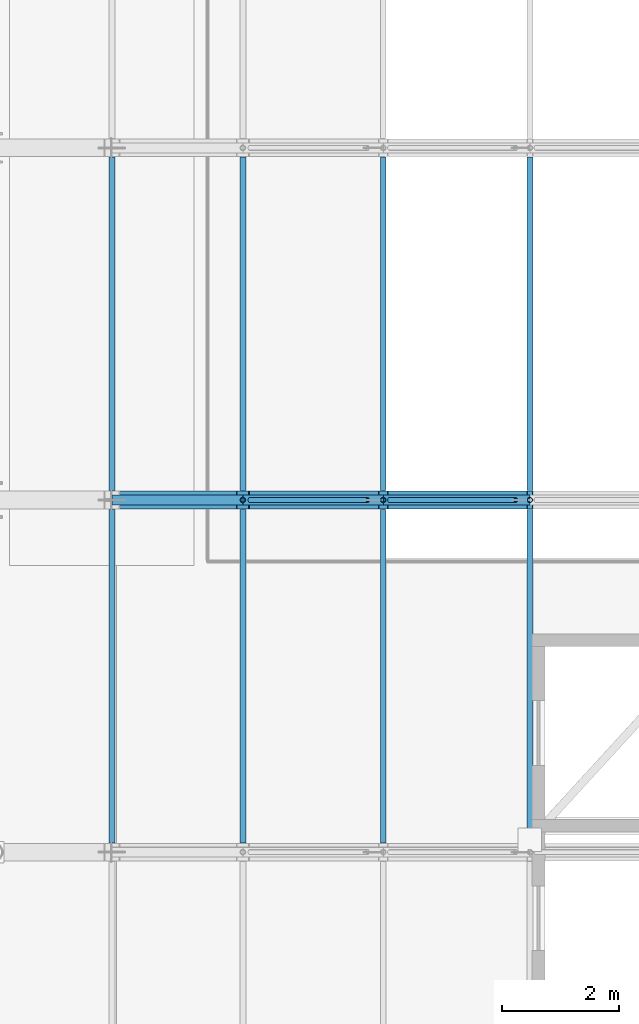
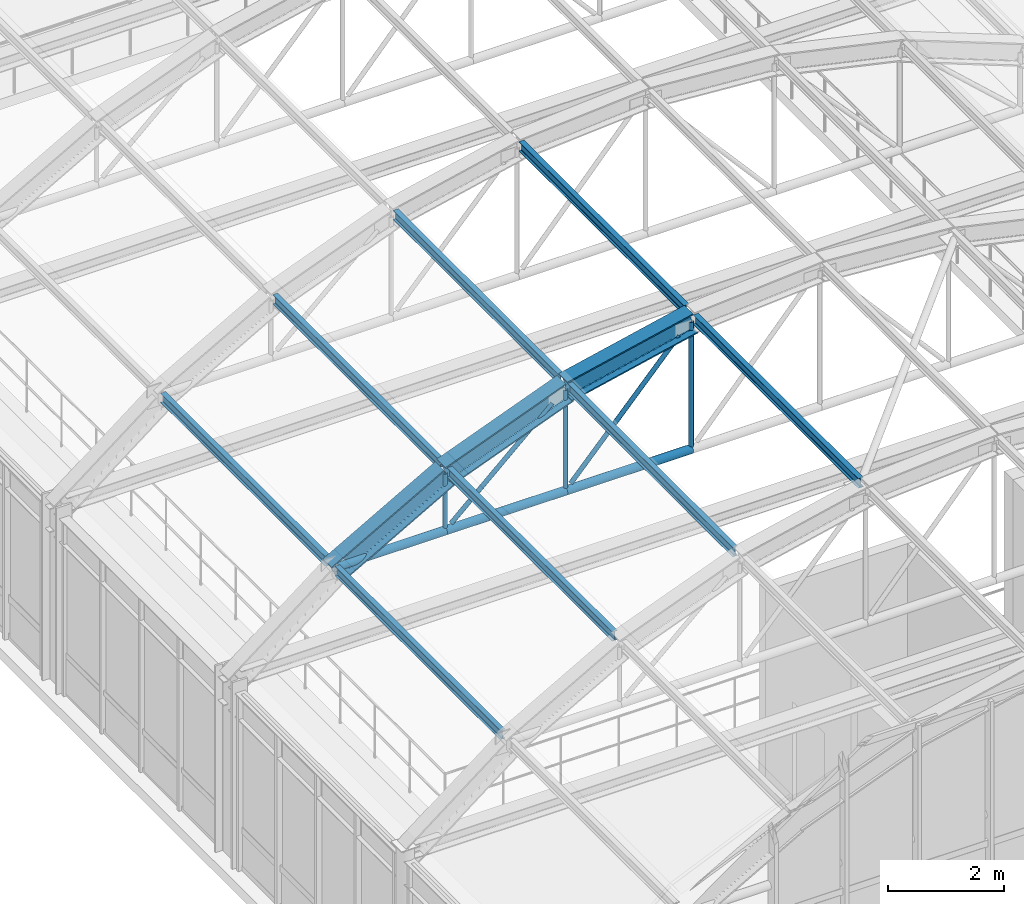
# One storey, part 37 of 148: 11 beams, 8 members.
"""IFC4 building model written with IfcOpenShell, lengths in metres."""

from ifc_helpers import new_model, si_unit, direction, frame, origin, origin_2d, place, context, subcontext, project, spatial, hollow_circle, i_section, extrude, material, material_profile, profile_set, type_object, element, save


model = new_model("IFC4")

# Units and contexts
model_context = context("Model", 3, precision=1e-05, world=origin(), true_north=direction((0.0, 1.0)))
body_context = subcontext(model_context, "Body", "Model", "MODEL_VIEW")
ifc_project = project(units=[si_unit("LENGTHUNIT", "METRE"), si_unit("AREAUNIT", "SQUARE_METRE"), si_unit("VOLUMEUNIT", "CUBIC_METRE"), si_unit("PLANEANGLEUNIT", "RADIAN"), si_unit("MASSUNIT", "GRAM", prefix="KILO"), si_unit("THERMODYNAMICTEMPERATUREUNIT", "KELVIN"), si_unit("POWERUNIT", "WATT")], contexts=[model_context])

# Site, building, storey
site_placement = place(None, origin())
site = spatial("IfcSite", under=ifc_project, at=site_placement, CompositionType="ELEMENT")
building_placement = place(site_placement, origin())
building = spatial("IfcBuilding", under=site, at=building_placement, Name="Solvatero Civic Police Headquarters", CompositionType="ELEMENT")
storey_placement = place(building_placement, frame((0.0, 0.0, 5.10009765625)))
storey = spatial("IfcBuildingStorey", under=building, at=storey_placement, Name="L01", CompositionType="ELEMENT", Elevation=5.10009765625)

# Beams
ifc_material = material(Name="Steel S355", Category="steel")
ifc_material_profile_1 = material_profile(ifc_material, i_section(OverallWidth=0.300048828125, OverallDepth=0.449951171875, WebThickness=0.013916015625, FlangeThickness=0.02587890625, FilletRadius=0.027099609375, at=origin_2d()), Name="HEB 450")
ifc_profile_set_1 = profile_set([ifc_material_profile_1], Name="Steel S355")
beam_type_1 = type_object("IfcBeamType", Name="BM-ST-HEB450", PredefinedType="BEAM", material=ifc_profile_set_1)
for number, where, z_axis, x_axis, name in (
    (1, (100.822509765625, 16.800048828125, 5.330322265625), (0.870765086908, 0.0, 0.491699261156), (0.0, 1.0, 0.0), "VLT1 Tied-Arch Vault Top Chord F3.2"),
    (2, (103.053466796875, 16.800048828125, 6.619873046875), (0.933355429458, 0.0, 0.358953537802), (0.0, 1.0, 0.0), "VLT1 Tied-Arch Vault Top Chord F3.3"),
):
    element("IfcBeam", number, at=place(storey_placement, frame(where, z_axis=z_axis, x_axis=x_axis)), inside=storey, type_object=beam_type_1, Name=name, PredefinedType="BEAM", context=body_context, shape_type="SweptSolid", body=[
        extrude(i_section(OverallWidth=0.300048828125, OverallDepth=0.449951171875, WebThickness=0.013916015625, FlangeThickness=0.02587890625, FilletRadius=0.027099609375, at=origin_2d()), origin(), (0.0, 0.0, 1.0), 2.56201171875),
    ])
beam_placement = place(storey_placement, frame((105.44482421875, 16.800048828125, 7.5576171875), z_axis=(0.975854055758, 0.0, 0.218423583574), x_axis=(0.0, 1.0, 0.0)))
element("IfcBeam", 3, at=beam_placement, inside=storey, type_object=beam_type_1, Name="VLT1 Tied-Arch Vault Top Chord F3.4", PredefinedType="BEAM", context=body_context, shape_type="SweptSolid", body=[
    extrude(i_section(OverallWidth=0.300048828125, OverallDepth=0.449951171875, WebThickness=0.013916015625, FlangeThickness=0.02587890625, FilletRadius=0.027099609375, at=origin_2d()), origin(), (0.0, 0.0, 1.0), 2.561767578125),
])
ifc_material_profile_2 = material_profile(ifc_material, i_section(OverallWidth=0.10009765625, OverallDepth=0.199951171875, WebThickness=0.005615234375, FlangeThickness=0.008544921875, FilletRadius=0.011962890625, at=origin_2d()), Name="IPE 200")
ifc_profile_set_2 = profile_set([ifc_material_profile_2], Name="Steel S355")
beam_type_2 = type_object("IfcBeamType", Name="BM-ST-IPE200", PredefinedType="JOIST", material=ifc_profile_set_2)
for number, where, z_axis, x_axis, name in (
    (4, (100.822509765625, 10.9580078125, 5.4326171875), (0.0, 1.0, 0.0), (-1.0, 0.0, 0.0), "VLT1 Vault Roof Purlin B2.1"),
    (5, (103.053466796875, 10.9580078125, 6.721435546875), (0.0, 1.0, 0.0), (-1.0, 0.0, 0.0), "VLT1 Vault Roof Purlin B2.2"),
    (6, (105.44482421875, 10.9580078125, 7.65576171875), (0.0, 1.0, 0.0), (-1.0, 0.0, 0.0), "VLT1 Vault Roof Purlin B2.3"),
    (7, (107.94482421875, 10.9580078125, 8.222900390625), (0.0, 1.0, 0.0), (-1.0, 0.0, 0.0), "VLT1 Vault Roof Purlin B2.4"),
    (8, (100.822509765625, 16.9580078125, 5.4326171875), (0.0, 1.0, 0.0), (-1.0, 0.0, 0.0), "VLT1 Vault Roof Purlin B3.1"),
    (9, (103.053466796875, 16.9580078125, 6.721435546875), (0.0, 1.0, 0.0), (-1.0, 0.0, 0.0), "VLT1 Vault Roof Purlin B3.2"),
    (10, (105.44482421875, 16.9580078125, 7.65576171875), (0.0, 1.0, 0.0), (-1.0, 0.0, 0.0), "VLT1 Vault Roof Purlin B3.3"),
    (11, (107.94482421875, 16.9580078125, 8.222900390625), (0.0, 1.0, 0.0), (-1.0, 0.0, 0.0), "VLT1 Vault Roof Purlin B3.4"),
):
    element("IfcBeam", number, at=place(storey_placement, frame(where, z_axis=z_axis, x_axis=x_axis)), inside=storey, type_object=beam_type_2, Name=name, PredefinedType="JOIST", context=body_context, shape_type="SweptSolid", body=[
        extrude(i_section(OverallWidth=0.10009765625, OverallDepth=0.199951171875, WebThickness=0.005615234375, FlangeThickness=0.008544921875, FilletRadius=0.011962890625, at=origin_2d()), origin(), (0.0, 0.0, 1.0), 5.68408203125),
    ])

# Members
ifc_material_profile_3 = material_profile(ifc_material, hollow_circle(Radius=0.04443359375, WallThickness=0.00634765625, at=origin_2d()), Name="CHS 88.9x6.3")
ifc_profile_set_3 = profile_set([ifc_material_profile_3], Name="Steel S355")
member_type_1 = type_object("IfcMemberType", Name="MB-HNG-CHS89", PredefinedType="STRUT", material=ifc_profile_set_3)
member_1_placement = place(storey_placement, frame((103.171875, 16.800048828125, 5.49951171875), z_axis=(0.739076960519, 0.0, 0.673620996132), x_axis=(0.0, 1.0, 0.0)))
element("IfcMember", 12, at=member_1_placement, inside=storey, type_object=member_type_1, Name="VLT1 Vault Truss Diagonal Web F3.2", PredefinedType="STRUT", context=body_context, shape_type="SweptSolid", body=[
    extrude(hollow_circle(Radius=0.04443359375, WallThickness=0.00634765625, at=origin_2d()), origin(), (0.0, 0.0, 1.0), 2.71533203125),
])
member_2_placement = place(storey_placement, frame((105.552734375, 16.800048828125, 5.509765625), z_axis=(0.674096872288, 0.0, 0.73864294945), x_axis=(0.0, 1.0, 0.0)))
element("IfcMember", 13, at=member_2_placement, inside=storey, type_object=member_type_1, Name="VLT1 Vault Truss Diagonal Web F3.3", PredefinedType="STRUT", context=body_context, shape_type="SweptSolid", body=[
    extrude(hollow_circle(Radius=0.04443359375, WallThickness=0.00634765625, at=origin_2d()), origin(), (0.0, 0.0, 1.0), 3.1884765625),
])
member_3_placement = place(storey_placement, frame((103.053466796875, 16.800048828125, 5.431640625), z_axis=(0.0, 0.0, 1.0), x_axis=(1.0, 0.0, 0.0)))
element("IfcMember", 14, at=member_3_placement, inside=storey, type_object=member_type_1, Name="VLT1 Vault Vertical Hanger F3.2", PredefinedType="STRUT", context=body_context, shape_type="SweptSolid", body=[
    extrude(hollow_circle(Radius=0.04443359375, WallThickness=0.00634765625, at=origin_2d()), origin(), (0.0, 0.0, 1.0), 1.169677734375),
])
member_4_placement = place(storey_placement, frame((105.44482421875, 16.800048828125, 5.431640625), z_axis=(0.0, 0.0, 1.0), x_axis=(1.0, 0.0, 0.0)))
element("IfcMember", 15, at=member_4_placement, inside=storey, type_object=member_type_1, Name="VLT1 Vault Vertical Hanger F3.3", PredefinedType="STRUT", context=body_context, shape_type="SweptSolid", body=[
    extrude(hollow_circle(Radius=0.04443359375, WallThickness=0.00634765625, at=origin_2d()), origin(), (0.0, 0.0, 1.0), 2.08935546875),
])
member_5_placement = place(storey_placement, frame((107.94482421875, 16.800048828125, 5.431640625), z_axis=(0.0, 0.0, 1.0), x_axis=(1.0, 0.0, 0.0)))
element("IfcMember", 16, at=member_5_placement, inside=storey, type_object=member_type_1, Name="VLT1 Vault Vertical Hanger F3.4", PredefinedType="STRUT", context=body_context, shape_type="SweptSolid", body=[
    extrude(hollow_circle(Radius=0.04443359375, WallThickness=0.00634765625, at=origin_2d()), origin(), (0.0, 0.0, 1.0), 2.649169921875),
])
ifc_material_profile_4 = material_profile(ifc_material, hollow_circle(Radius=0.084228515625, WallThickness=0.010009765625, at=origin_2d()), Name="CHS 168.3x10.0")
ifc_profile_set_4 = profile_set([ifc_material_profile_4], Name="Steel S355")
member_type_2 = type_object("IfcMemberType", Name="MB-TIE-CHS168", PredefinedType="CHORD", material=ifc_profile_set_4)
member_6_placement = place(storey_placement, frame((100.822509765625, 16.800048828125, 5.3916015625), z_axis=(1.0, 0.0, 0.0), x_axis=(0.0, 1.0, 0.0)))
element("IfcMember", 17, at=member_6_placement, inside=storey, type_object=member_type_2, Name="VLT1 Vault Horizontal Tie Chord F3.1", PredefinedType="CHORD", context=body_context, shape_type="SweptSolid", body=[
    extrude(hollow_circle(Radius=0.084228515625, WallThickness=0.010009765625, at=origin_2d()), origin(), (0.0, 0.0, 1.0), 2.23095703125),
])
member_7_placement = place(storey_placement, frame((103.053466796875, 16.800048828125, 5.3916015625), z_axis=(1.0, 0.0, 0.0), x_axis=(0.0, 1.0, 0.0)))
element("IfcMember", 18, at=member_7_placement, inside=storey, type_object=member_type_2, Name="VLT1 Vault Horizontal Tie Chord F3.2", PredefinedType="CHORD", context=body_context, shape_type="SweptSolid", body=[
    extrude(hollow_circle(Radius=0.084228515625, WallThickness=0.010009765625, at=origin_2d()), origin(), (0.0, 0.0, 1.0), 2.391357421875),
])
member_8_placement = place(storey_placement, frame((105.44482421875, 16.800048828125, 5.3916015625), z_axis=(1.0, 0.0, 0.0), x_axis=(0.0, 1.0, 0.0)))
element("IfcMember", 19, at=member_8_placement, inside=storey, type_object=member_type_2, Name="VLT1 Vault Horizontal Tie Chord F3.3", PredefinedType="CHORD", context=body_context, shape_type="SweptSolid", body=[
    extrude(hollow_circle(Radius=0.084228515625, WallThickness=0.010009765625, at=origin_2d()), origin(), (0.0, 0.0, 1.0), 2.5),
])

save(model, "model.ifc")
